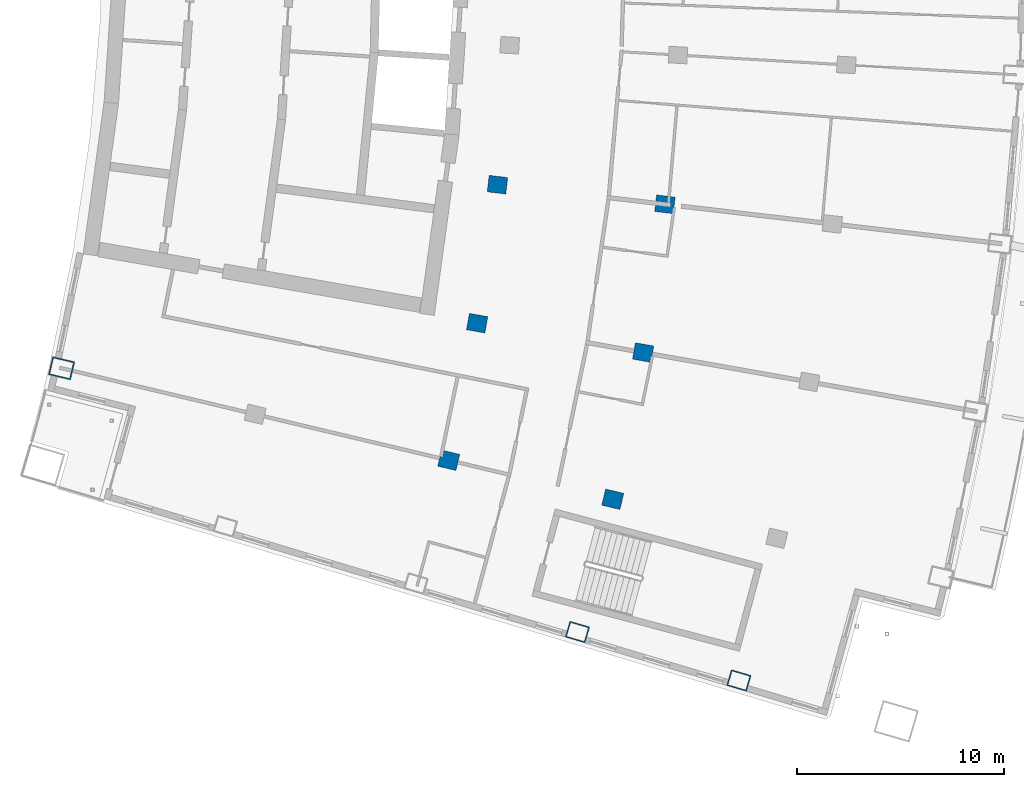
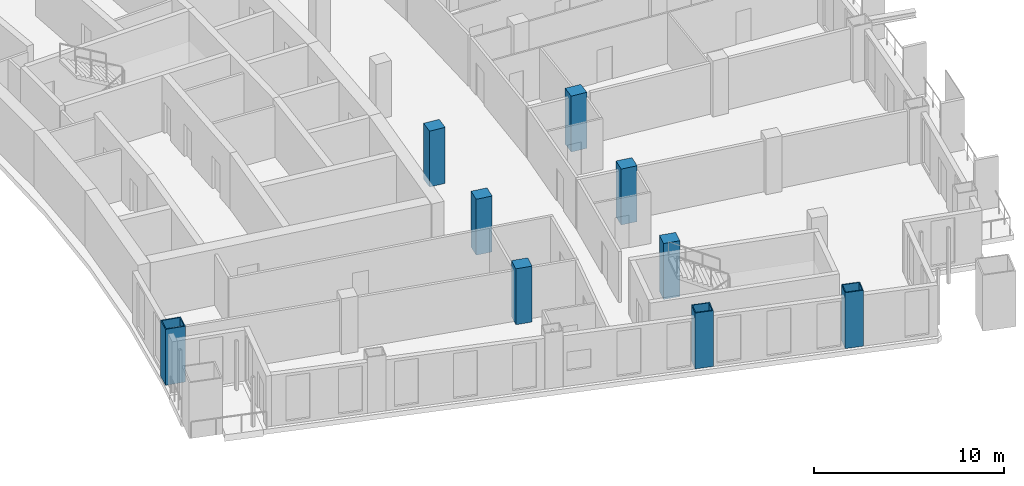
# One storey, part 2 of 20: 9 columns.
"""IFC4 building model written with IfcOpenShell, lengths in metres."""

from ifc_helpers import new_model, si_unit, direction, frame, origin, origin_2d, place, context, subcontext, project, spatial, rectangle, hollow_rectangle, extrude, material, material_profile, profile_set, type_object, element, save


model = new_model("IFC4")

# Units and contexts
model_context = context("Model", 3, precision=1e-05, world=origin(), true_north=direction((0.0, 1.0)))
body_context = subcontext(model_context, "Body", "Model", "MODEL_VIEW")
ifc_project = project(units=[si_unit("LENGTHUNIT", "METRE"), si_unit("AREAUNIT", "SQUARE_METRE"), si_unit("VOLUMEUNIT", "CUBIC_METRE"), si_unit("PLANEANGLEUNIT", "RADIAN"), si_unit("MASSUNIT", "GRAM", prefix="KILO")], contexts=[model_context])

# Site, building, storey
site_placement = place(None, origin())
site = spatial("IfcSite", under=ifc_project, at=site_placement, CompositionType="ELEMENT")
building_placement = place(site_placement, origin())
building = spatial("IfcBuilding", under=site, at=building_placement, Name="Alderwake Tower", CompositionType="ELEMENT")
storey_placement = place(building_placement, frame((0.0, 0.0, 142.39990234375)))
storey = spatial("IfcBuildingStorey", under=building, at=storey_placement, Name="L34", CompositionType="ELEMENT", Elevation=142.39990234375)

# Columns
ifc_material_1 = material(Name="Steel ASTM A572 Grade 50 concrete filled C70/85", Category="concrete")
ifc_material_profile_1 = material_profile(ifc_material_1, hollow_rectangle(XDim=0.800048828125, YDim=1.0, WallThickness=0.054931640625, at=origin_2d()), Name="BOX 1000X800X55")
ifc_profile_set_1 = profile_set([ifc_material_profile_1], Name="Steel ASTM A572 Grade 50 concrete filled C70/85")
column_type_1 = type_object("IfcColumnType", Name="End column Z3", PredefinedType="COLUMN", material=ifc_profile_set_1)
for number, where, z_axis, x_axis, name in (
    (1, (38.8701171875, 25.938232421875, 0.0), (0.0, 0.0, 1.0), (0.282909001444, 0.959146754622, 0.0), "Column R02-C3"),
    (2, (46.66015625, 23.599365234375, 0.0), (0.0, 0.0, 1.0), (0.283195247437, 0.959062277346, 0.0), "Column R02-C4"),
):
    element("IfcColumn", number, at=place(storey_placement, frame(where, z_axis=z_axis, x_axis=x_axis)), inside=storey, type_object=column_type_1, Name=name, PredefinedType="COLUMN", context=body_context, shape_type="SweptSolid", body=[
        extrude(hollow_rectangle(XDim=0.800048828125, YDim=1.0, WallThickness=0.054931640625, at=origin_2d()), origin(), (0.0, 0.0, 1.0), 3.60009765625),
    ])
ifc_material_2 = material(Name="Concrete C70/85", Category="concrete")
ifc_material_profile_2 = material_profile(ifc_material_2, rectangle(XDim=0.800048828125, YDim=0.89990234375, at=origin_2d()), Name="RC 900X800")
ifc_profile_set_2 = profile_set([ifc_material_profile_2], Name="Concrete C70/85")
column_type_2 = type_object("IfcColumnType", Name="Interior column Z3", PredefinedType="COLUMN", material=ifc_profile_set_2)
for number, where, z_axis, x_axis, name in (
    (3, (32.661865234375, 34.224609375, 0.0), (0.0, 0.0, 1.0), (0.231221547198, 0.972901123502, 0.0), "Column R03-C2"),
    (4, (40.57470703125, 32.343994140625, 0.0), (0.0, 0.0, 1.0), (0.231221547198, 0.972901123502, 0.0), "Column R03-C3"),
    (5, (34.03125, 40.83837890625, 0.0), (0.0, 0.0, 1.0), (0.174108800747, 0.984726421654, 0.0), "Column R04-C2"),
    (6, (42.040283203125, 39.422119140625, 0.0), (0.0, 0.0, 1.0), (0.174108800747, 0.984726421654, 0.0), "Column R04-C3"),
    (7, (35.0126953125, 47.5205078125, 0.0), (0.0, 0.0, 1.0), (0.116402054316, 0.993202175668, 0.0), "Column R05-C2"),
    (8, (43.0908203125, 46.573974609375, 0.0), (0.0, 0.0, 1.0), (0.116402054316, 0.993202175668, 0.0), "Column R05-C3"),
):
    element("IfcColumn", number, at=place(storey_placement, frame(where, z_axis=z_axis, x_axis=x_axis)), inside=storey, type_object=column_type_2, Name=name, PredefinedType="COLUMN", context=body_context, shape_type="SweptSolid", body=[
        extrude(rectangle(XDim=0.800048828125, YDim=0.89990234375, at=origin_2d()), origin(), (0.0, 0.0, 1.0), 3.60009765625),
    ])
ifc_material_3 = material(Name="Steel ASTM A572 Grade 50 concrete filled C70/85", Category="concrete")
ifc_material_profile_3 = material_profile(ifc_material_3, hollow_rectangle(XDim=0.89990234375, YDim=1.10009765625, WallThickness=0.06005859375, at=origin_2d()), Name="BOX 1100X900X60")
ifc_profile_set_3 = profile_set([ifc_material_profile_3], Name="Steel ASTM A572 Grade 50 concrete filled C70/85")
column_type_3 = type_object("IfcColumnType", Name="Perimeter column Z3", PredefinedType="COLUMN", material=ifc_profile_set_3)
column_placement = place(storey_placement, frame((13.982177734375, 38.6640625, 0.0), z_axis=(0.0, 0.0, 1.0), x_axis=(0.231221547198, 0.972901123502, 0.0)))
element("IfcColumn", 9, at=column_placement, inside=storey, type_object=column_type_3, Name="Column R03-C0", PredefinedType="COLUMN", context=body_context, shape_type="SweptSolid", body=[
    extrude(hollow_rectangle(XDim=0.89990234375, YDim=1.10009765625, WallThickness=0.06005859375, at=origin_2d()), origin(), (0.0, 0.0, 1.0), 3.60009765625),
])

save(model, "model.ifc")
